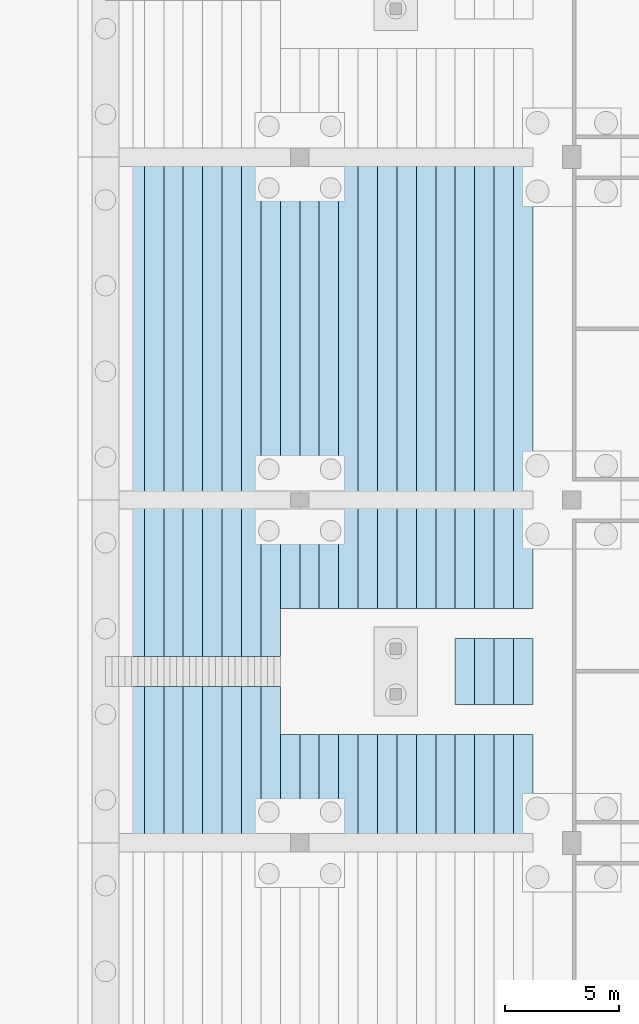
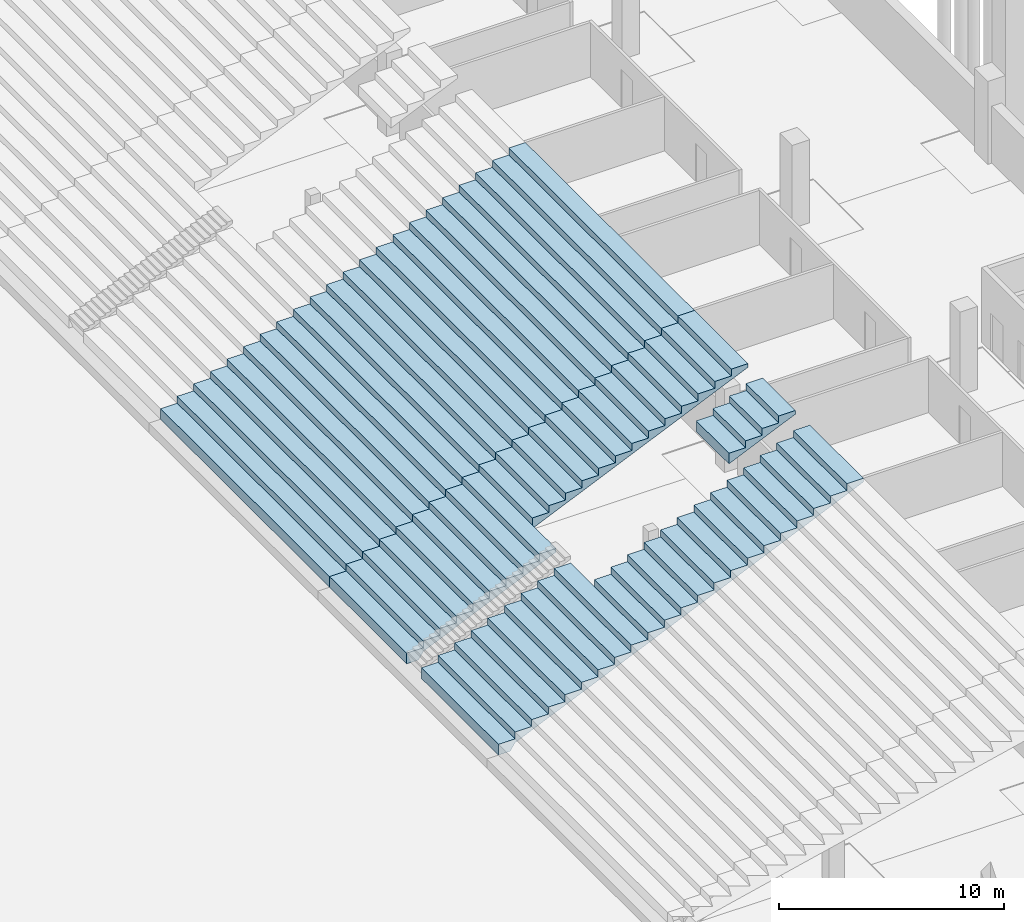
# One storey, part 51 of 115: 2 slabs.
"""IFC4 building model written with IfcOpenShell, lengths in metres."""

from ifc_helpers import new_model, si_unit, direction, frame, origin, place, context, subcontext, project, spatial, faceted_brep, material, layer, layer_set, type_object, element, save


model = new_model("IFC4")

# Units and contexts
model_context = context("Model", 3, precision=1e-05, world=origin(), true_north=direction((0.0, 1.0)))
body_context = subcontext(model_context, "Body", "Model", "MODEL_VIEW")
ifc_project = project(units=[si_unit("LENGTHUNIT", "METRE"), si_unit("AREAUNIT", "SQUARE_METRE"), si_unit("VOLUMEUNIT", "CUBIC_METRE"), si_unit("PLANEANGLEUNIT", "RADIAN"), si_unit("MASSUNIT", "GRAM", prefix="KILO")], contexts=[model_context])

# Site, building, storey
site_placement = place(None, origin())
site = spatial("IfcSite", under=ifc_project, at=site_placement, CompositionType="ELEMENT")
building_placement = place(site_placement, origin())
building = spatial("IfcBuilding", under=site, at=building_placement, Name="Ogive Plaza Stadium", CompositionType="ELEMENT")
storey_placement = place(building_placement, frame((0.0, 0.0, -4.5)))
storey = spatial("IfcBuildingStorey", under=building, at=storey_placement, Name="B1", CompositionType="ELEMENT", Elevation=-4.5)

# Slabs
ifc_material = material(Name="Concrete C45/55 precast", Category="concrete")
ifc_layer = layer(ifc_material, 0.574951171875)
ifc_layer_set = layer_set([ifc_layer], Name="Concrete C45/55 precast")
slab_type = type_object("IfcSlabType", Name="Seating tier LT 575", PredefinedType="USERDEFINED", material=ifc_layer_set)
slab_1_placement = place(storey_placement, origin())
element("IfcSlab", 1, at=slab_1_placement, inside=storey, type_object=slab_type, Name="Stand LT B04", ObjectType="SEATING TIER", PredefinedType="USERDEFINED", context=body_context, shape_type="Brep", body=[
    faceted_brep([(41.5, -7.5, 1.125), (42.10009765625, -7.5, 1.125), (42.10009765625, 7.5, 1.125), (41.5, 7.5, 1.125), (42.35009765625, -7.5, 1.125), (42.35009765625, 7.5, 1.125), (42.10009765625, -7.5, 0.550048828125), (41.5, 7.5, 0.550048828125), (42.10009765625, 7.5, 0.550048828125), (41.5, -7.5, 0.550048828125), (42.35009765625, 7.5, 0.925048828125), (42.35009765625, 7.5, 1.5), (43.199951171875, 7.5, 1.5), (43.199951171875, 7.5, 1.300048828125), (43.199951171875, 7.5, 1.875), (44.050048828125, 7.5, 1.875), (44.050048828125, 7.5, 1.675048828125), (44.050048828125, 7.5, 2.25), (44.89990234375, 7.5, 2.25), (44.89990234375, 7.5, 2.050048828125), (44.89990234375, 7.5, 2.625), (45.75, 7.5, 2.625), (45.75, 7.5, 2.425048828125), (45.75, 7.5, 3.0), (46.60009765625, 7.5, 3.0), (46.60009765625, 7.5, 2.800048828125), (46.60009765625, 7.5, 3.375), (47.449951171875, 7.5, 3.375), (47.449951171875, 7.5, 3.175048828125), (47.449951171875, 7.5, 3.75), (48.300048828125, 7.5, 3.75), (48.300048828125, 7.5, 3.550048828125), (48.300048828125, 7.5, 4.125), (49.14990234375, 7.5, 4.125), (49.14990234375, 7.5, 3.925048828125), (49.14990234375, 7.5, 4.5), (50.0, 7.5, 4.5), (50.0, 7.5, 4.300048828125), (50.0, 7.5, 4.875), (50.85009765625, 7.5, 4.875), (50.85009765625, 7.5, 4.675048828125), (50.85009765625, 7.5, 5.25), (51.699951171875, 7.5, 5.25), (51.699951171875, 7.5, 5.050048828125), (51.699951171875, 7.5, 5.625), (52.550048828125, 7.5, 5.625), (52.550048828125, 7.5, 5.425048828125), (52.550048828125, 7.5, 6.0), (53.39990234375, 7.5, 6.0), (53.39990234375, 7.5, 5.800048828125), (53.39990234375, 7.5, 6.375), (54.25, 7.5, 6.375), (54.25, 7.5, 6.175048828125), (54.25, 7.5, 6.75), (55.10009765625, 7.5, 6.75), (55.10009765625, 7.5, 6.550048828125), (55.10009765625, 7.5, 7.125), (55.949951171875, 7.5, 7.125), (55.949951171875, 7.5, 6.925048828125), (55.949951171875, 7.5, 7.5), (56.800048828125, 7.5, 7.5), (56.800048828125, 7.5, 7.300048828125), (56.800048828125, 7.5, 7.875), (57.64990234375, 7.5, 7.875), (57.64990234375, 7.5, 7.675048828125), (57.64990234375, 7.5, 8.25), (58.5, 7.5, 8.25), (58.5, 7.5, 8.050048828125), (58.5, 7.5, 8.625), (59.35009765625, 7.5, 8.625), (59.35009765625, 7.5, 8.425048828125), (59.35009765625, 7.5, 9.0), (60.199951171875, 7.5, 9.0), (60.199951171875, 7.5, 8.800048828125), (42.35009765625, -7.5, 0.925048828125), (43.199951171875, -7.5, 1.5), (42.35009765625, -7.5, 1.5), (43.199951171875, -7.5, 1.300048828125), (44.050048828125, -7.5, 1.875), (43.199951171875, -7.5, 1.875), (44.050048828125, -7.5, 1.675048828125), (44.89990234375, -7.5, 2.25), (44.050048828125, -7.5, 2.25), (44.89990234375, -7.5, 2.050048828125), (45.75, -7.5, 2.625), (44.89990234375, -7.5, 2.625), (45.75, -7.5, 2.425048828125), (46.60009765625, -7.5, 3.0), (45.75, -7.5, 3.0), (46.60009765625, -7.5, 2.800048828125), (47.449951171875, -7.5, 3.375), (46.60009765625, -7.5, 3.375), (47.449951171875, -7.5, 3.175048828125), (48.300048828125, -7.5, 3.75), (47.449951171875, -7.5, 3.75), (48.300048828125, -7.5, 3.550048828125), (49.14990234375, -7.5, 4.125), (48.300048828125, -7.5, 4.125), (49.14990234375, -7.5, 3.925048828125), (50.0, -7.5, 4.5), (49.14990234375, -7.5, 4.5), (50.0, -7.5, 4.300048828125), (50.85009765625, -7.5, 4.875), (50.0, -7.5, 4.875), (50.85009765625, -7.5, 4.675048828125), (51.699951171875, -7.5, 5.25), (50.85009765625, -7.5, 5.25), (51.699951171875, -7.5, 5.050048828125), (52.550048828125, -7.5, 5.625), (51.699951171875, -7.5, 5.625), (52.550048828125, -7.5, 5.425048828125), (53.39990234375, -7.5, 6.0), (52.550048828125, -7.5, 6.0), (53.39990234375, -7.5, 5.800048828125), (54.25, -7.5, 6.375), (53.39990234375, -7.5, 6.375), (54.25, -7.5, 6.175048828125), (55.10009765625, -7.5, 6.75), (54.25, -7.5, 6.75), (55.10009765625, -7.5, 6.550048828125), (55.949951171875, -7.5, 7.125), (55.10009765625, -7.5, 7.125), (55.949951171875, -7.5, 6.925048828125), (56.800048828125, -7.5, 7.5), (55.949951171875, -7.5, 7.5), (56.800048828125, -7.5, 7.300048828125), (57.64990234375, -7.5, 7.875), (56.800048828125, -7.5, 7.875), (57.64990234375, -7.5, 7.675048828125), (58.5, -7.5, 8.25), (57.64990234375, -7.5, 8.25), (58.5, -7.5, 8.050048828125), (59.35009765625, -7.5, 8.625), (58.5, -7.5, 8.625), (59.35009765625, -7.5, 8.425048828125), (60.199951171875, -7.5, 9.0), (59.35009765625, -7.5, 9.0), (60.199951171875, -7.5, 8.800048828125)], [[[0, 1, 2]], [[2, 3, 0]], [[1, 4, 5]], [[5, 2, 1]], [[6, 7, 8]], [[6, 9, 7]], [[2, 8, 7]], [[7, 3, 2]], [[10, 8, 2]], [[10, 2, 5]], [[5, 11, 12]], [[12, 13, 10]], [[10, 5, 12]], [[12, 14, 15]], [[15, 16, 13]], [[13, 12, 15]], [[15, 17, 18]], [[18, 19, 16]], [[16, 15, 18]], [[18, 20, 21]], [[21, 22, 19]], [[19, 18, 21]], [[21, 23, 24]], [[24, 25, 22]], [[22, 21, 24]], [[24, 26, 27]], [[27, 28, 25]], [[25, 24, 27]], [[27, 29, 30]], [[30, 31, 28]], [[28, 27, 30]], [[30, 32, 33]], [[33, 34, 31]], [[31, 30, 33]], [[33, 35, 36]], [[36, 37, 34]], [[34, 33, 36]], [[36, 38, 39]], [[39, 40, 37]], [[37, 36, 39]], [[39, 41, 42]], [[42, 43, 40]], [[40, 39, 42]], [[42, 44, 45]], [[45, 46, 43]], [[43, 42, 45]], [[45, 47, 48]], [[48, 49, 46]], [[46, 45, 48]], [[48, 50, 51]], [[51, 52, 49]], [[49, 48, 51]], [[51, 53, 54]], [[54, 55, 52]], [[52, 51, 54]], [[54, 56, 57]], [[57, 58, 55]], [[55, 54, 57]], [[57, 59, 60]], [[60, 61, 58]], [[58, 57, 60]], [[60, 62, 63]], [[63, 64, 61]], [[61, 60, 63]], [[63, 65, 66]], [[66, 67, 64]], [[64, 63, 66]], [[66, 68, 69]], [[69, 70, 67]], [[67, 66, 69]], [[69, 71, 72]], [[72, 73, 70]], [[70, 69, 72]], [[3, 7, 9]], [[9, 0, 3]], [[0, 9, 6]], [[6, 1, 0]], [[1, 6, 74]], [[74, 4, 1]], [[75, 76, 4]], [[4, 74, 77]], [[77, 75, 4]], [[78, 79, 75]], [[75, 77, 80]], [[80, 78, 75]], [[81, 82, 78]], [[78, 80, 83]], [[83, 81, 78]], [[84, 85, 81]], [[81, 83, 86]], [[86, 84, 81]], [[87, 88, 84]], [[84, 86, 89]], [[89, 87, 84]], [[90, 91, 87]], [[87, 89, 92]], [[92, 90, 87]], [[93, 94, 90]], [[90, 92, 95]], [[95, 93, 90]], [[96, 97, 93]], [[93, 95, 98]], [[98, 96, 93]], [[99, 100, 96]], [[96, 98, 101]], [[101, 99, 96]], [[102, 103, 99]], [[99, 101, 104]], [[104, 102, 99]], [[105, 106, 102]], [[102, 104, 107]], [[107, 105, 102]], [[108, 109, 105]], [[105, 107, 110]], [[110, 108, 105]], [[111, 112, 108]], [[108, 110, 113]], [[113, 111, 108]], [[114, 115, 111]], [[111, 113, 116]], [[116, 114, 111]], [[117, 118, 114]], [[114, 116, 119]], [[119, 117, 114]], [[120, 121, 117]], [[117, 119, 122]], [[122, 120, 117]], [[123, 124, 120]], [[120, 122, 125]], [[125, 123, 120]], [[126, 127, 123]], [[123, 125, 128]], [[128, 126, 123]], [[129, 130, 126]], [[126, 128, 131]], [[131, 129, 126]], [[132, 133, 129]], [[129, 131, 134]], [[134, 132, 129]], [[135, 136, 132]], [[132, 134, 137]], [[137, 135, 132]], [[74, 8, 10]], [[74, 6, 8]], [[4, 76, 11]], [[11, 5, 4]], [[76, 75, 12]], [[12, 11, 76]], [[77, 10, 13]], [[77, 74, 10]], [[80, 13, 16]], [[80, 77, 13]], [[83, 16, 19]], [[83, 80, 16]], [[86, 19, 22]], [[86, 83, 19]], [[89, 22, 25]], [[89, 86, 22]], [[92, 25, 28]], [[92, 89, 25]], [[95, 28, 31]], [[95, 92, 28]], [[98, 31, 34]], [[98, 95, 31]], [[101, 34, 37]], [[101, 98, 34]], [[104, 37, 40]], [[104, 101, 37]], [[107, 40, 43]], [[107, 104, 40]], [[110, 43, 46]], [[110, 107, 43]], [[113, 46, 49]], [[113, 110, 46]], [[116, 49, 52]], [[116, 113, 49]], [[119, 52, 55]], [[119, 116, 52]], [[122, 55, 58]], [[122, 119, 55]], [[125, 58, 61]], [[125, 122, 58]], [[128, 61, 64]], [[128, 125, 61]], [[75, 79, 14]], [[14, 12, 75]], [[79, 78, 15]], [[15, 14, 79]], [[78, 82, 17]], [[17, 15, 78]], [[82, 81, 18]], [[18, 17, 82]], [[81, 85, 20]], [[20, 18, 81]], [[85, 84, 21]], [[21, 20, 85]], [[84, 88, 23]], [[23, 21, 84]], [[88, 87, 24]], [[24, 23, 88]], [[87, 91, 26]], [[26, 24, 87]], [[91, 90, 27]], [[27, 26, 91]], [[90, 94, 29]], [[29, 27, 90]], [[94, 93, 30]], [[30, 29, 94]], [[93, 97, 32]], [[32, 30, 93]], [[97, 96, 33]], [[33, 32, 97]], [[96, 100, 35]], [[35, 33, 96]], [[100, 99, 36]], [[36, 35, 100]], [[99, 103, 38]], [[38, 36, 99]], [[103, 102, 39]], [[39, 38, 103]], [[102, 106, 41]], [[41, 39, 102]], [[106, 105, 42]], [[42, 41, 106]], [[105, 109, 44]], [[44, 42, 105]], [[109, 108, 45]], [[45, 44, 109]], [[108, 112, 47]], [[47, 45, 108]], [[112, 111, 48]], [[48, 47, 112]], [[111, 115, 50]], [[50, 48, 111]], [[115, 114, 51]], [[51, 50, 115]], [[114, 118, 53]], [[53, 51, 114]], [[118, 117, 54]], [[54, 53, 118]], [[117, 121, 56]], [[56, 54, 117]], [[121, 120, 57]], [[57, 56, 121]], [[120, 124, 59]], [[59, 57, 120]], [[124, 123, 60]], [[60, 59, 124]], [[123, 127, 62]], [[62, 60, 123]], [[127, 126, 63]], [[63, 62, 127]], [[126, 130, 65]], [[65, 63, 126]], [[130, 129, 66]], [[66, 65, 130]], [[131, 64, 67]], [[131, 128, 64]], [[134, 67, 70]], [[134, 131, 67]], [[137, 70, 73]], [[137, 134, 70]], [[129, 133, 68]], [[68, 66, 129]], [[133, 132, 69]], [[69, 68, 133]], [[132, 136, 71]], [[71, 69, 132]], [[136, 135, 72]], [[72, 71, 136]], [[135, 137, 73]], [[73, 72, 135]]]),
])
slab_2_placement = place(storey_placement, origin())
element("IfcSlab", 2, at=slab_2_placement, inside=storey, type_object=slab_type, Name="Stand LT B05", ObjectType="SEATING TIER", PredefinedType="USERDEFINED", context=body_context, shape_type="Brep", body=[
    faceted_brep([(41.5, -14.35009765625, 1.125), (42.10009765625, -14.35009765625, 1.125), (42.10009765625, -7.5, 1.125), (41.5, -7.5, 1.125), (41.5, -22.5, 1.125), (42.10009765625, -22.5, 1.125), (42.10009765625, -15.64990234375, 1.125), (41.5, -15.64990234375, 1.125), (42.35009765625, -14.35009765625, 1.125), (42.35009765625, -7.5, 1.125), (42.35009765625, -22.5, 1.125), (42.35009765625, -15.64990234375, 1.125), (42.10009765625, -14.35009765625, 0.550048828125), (41.5, -7.5, 0.550048828125), (42.10009765625, -7.5, 0.550048828125), (41.5, -14.35009765625, 0.550048828125), (42.10009765625, -22.5, 0.550048828125), (41.5, -15.64990234375, 0.550048828125), (42.10009765625, -15.64990234375, 0.550048828125), (41.5, -22.5, 0.550048828125), (42.35009765625, -7.5, 0.925048828125), (42.35009765625, -7.5, 1.5), (43.199951171875, -7.5, 1.5), (43.199951171875, -7.5, 1.300048828125), (43.199951171875, -7.5, 1.875), (44.050048828125, -7.5, 1.875), (44.050048828125, -7.5, 1.675048828125), (44.050048828125, -7.5, 2.25), (44.89990234375, -7.5, 2.25), (44.89990234375, -7.5, 2.050048828125), (44.89990234375, -7.5, 2.625), (45.75, -7.5, 2.625), (45.75, -7.5, 2.425048828125), (45.75, -7.5, 3.0), (46.60009765625, -7.5, 3.0), (46.60009765625, -7.5, 2.800048828125), (46.60009765625, -7.5, 3.375), (47.449951171875, -7.5, 3.375), (47.449951171875, -7.5, 3.175048828125), (47.449951171875, -7.5, 3.75), (48.300048828125, -7.5, 3.75), (48.300048828125, -7.5, 3.550048828125), (48.300048828125, -7.5, 4.125), (49.14990234375, -7.5, 4.125), (49.14990234375, -7.5, 3.925048828125), (49.14990234375, -7.5, 4.5), (50.0, -7.5, 4.5), (50.0, -7.5, 4.300048828125), (50.0, -7.5, 4.875), (50.85009765625, -7.5, 4.875), (50.85009765625, -7.5, 4.675048828125), (50.85009765625, -7.5, 5.25), (51.699951171875, -7.5, 5.25), (51.699951171875, -7.5, 5.050048828125), (51.699951171875, -7.5, 5.625), (52.550048828125, -7.5, 5.625), (52.550048828125, -7.5, 5.425048828125), (52.550048828125, -7.5, 6.0), (53.39990234375, -7.5, 6.0), (53.39990234375, -7.5, 5.800048828125), (53.39990234375, -7.5, 6.375), (54.25, -7.5, 6.375), (54.25, -7.5, 6.175048828125), (54.25, -7.5, 6.75), (55.10009765625, -7.5, 6.75), (55.10009765625, -7.5, 6.550048828125), (55.10009765625, -7.5, 7.125), (55.949951171875, -7.5, 7.125), (55.949951171875, -7.5, 6.925048828125), (55.949951171875, -7.5, 7.5), (56.800048828125, -7.5, 7.5), (56.800048828125, -7.5, 7.300048828125), (56.800048828125, -7.5, 7.875), (57.64990234375, -7.5, 7.875), (57.64990234375, -7.5, 7.675048828125), (57.64990234375, -7.5, 8.25), (58.5, -7.5, 8.25), (58.5, -7.5, 8.050048828125), (58.5, -7.5, 8.625), (59.35009765625, -7.5, 8.625), (59.35009765625, -7.5, 8.425048828125), (59.35009765625, -7.5, 9.0), (60.199951171875, -7.5, 9.0), (60.199951171875, -7.5, 8.800048828125), (42.35009765625, -14.35009765625, 0.925048828125), (43.199951171875, -14.35009765625, 1.5), (42.35009765625, -14.35009765625, 1.5), (43.199951171875, -14.35009765625, 1.300048828125), (44.050048828125, -14.35009765625, 1.875), (43.199951171875, -14.35009765625, 1.875), (44.050048828125, -14.35009765625, 1.675048828125), (44.89990234375, -14.35009765625, 2.25), (44.050048828125, -14.35009765625, 2.25), (44.89990234375, -14.35009765625, 2.050048828125), (45.75, -14.35009765625, 2.625), (44.89990234375, -14.35009765625, 2.625), (45.75, -14.35009765625, 2.425048828125), (46.60009765625, -14.35009765625, 3.0), (45.75, -14.35009765625, 3.0), (46.60009765625, -14.35009765625, 2.800048828125), (47.449951171875, -14.35009765625, 3.375), (46.60009765625, -14.35009765625, 3.375), (47.449951171875, -14.35009765625, 3.175048828125), (48.300048828125, -14.35009765625, 3.75), (47.449951171875, -14.35009765625, 3.75), (48.300048828125, -14.35009765625, 3.550048828125), (49.14990234375, -14.35009765625, 4.125), (48.300048828125, -14.35009765625, 4.125), (49.14990234375, -14.35009765625, 3.925048828125), (42.35009765625, -15.64990234375, 0.925048828125), (42.35009765625, -15.64990234375, 1.5), (43.199951171875, -15.64990234375, 1.5), (43.199951171875, -15.64990234375, 1.300048828125), (43.199951171875, -15.64990234375, 1.875), (44.050048828125, -15.64990234375, 1.875), (44.050048828125, -15.64990234375, 1.675048828125), (44.050048828125, -15.64990234375, 2.25), (44.89990234375, -15.64990234375, 2.25), (44.89990234375, -15.64990234375, 2.050048828125), (44.89990234375, -15.64990234375, 2.625), (45.75, -15.64990234375, 2.625), (45.75, -15.64990234375, 2.425048828125), (45.75, -15.64990234375, 3.0), (46.60009765625, -15.64990234375, 3.0), (46.60009765625, -15.64990234375, 2.800048828125), (46.60009765625, -15.64990234375, 3.375), (47.449951171875, -15.64990234375, 3.375), (47.449951171875, -15.64990234375, 3.175048828125), (47.449951171875, -15.64990234375, 3.75), (48.300048828125, -15.64990234375, 3.75), (48.300048828125, -15.64990234375, 3.550048828125), (48.300048828125, -15.64990234375, 4.125), (49.14990234375, -15.64990234375, 4.125), (49.14990234375, -15.64990234375, 3.925048828125), (42.35009765625, -22.5, 0.925048828125), (43.199951171875, -22.5, 1.5), (42.35009765625, -22.5, 1.5), (43.199951171875, -22.5, 1.300048828125), (44.050048828125, -22.5, 1.875), (43.199951171875, -22.5, 1.875), (44.050048828125, -22.5, 1.675048828125), (44.89990234375, -22.5, 2.25), (44.050048828125, -22.5, 2.25), (44.89990234375, -22.5, 2.050048828125), (45.75, -22.5, 2.625), (44.89990234375, -22.5, 2.625), (45.75, -22.5, 2.425048828125), (46.60009765625, -22.5, 3.0), (45.75, -22.5, 3.0), (46.60009765625, -22.5, 2.800048828125), (47.449951171875, -22.5, 3.375), (46.60009765625, -22.5, 3.375), (47.449951171875, -22.5, 3.175048828125), (48.300048828125, -22.5, 3.75), (47.449951171875, -22.5, 3.75), (48.300048828125, -22.5, 3.550048828125), (49.14990234375, -22.5, 4.125), (48.300048828125, -22.5, 4.125), (49.14990234375, -22.5, 3.925048828125), (50.0, -22.5, 4.5), (49.14990234375, -22.5, 4.5), (50.0, -22.5, 4.300048828125), (50.85009765625, -22.5, 4.875), (50.0, -22.5, 4.875), (50.85009765625, -22.5, 4.675048828125), (51.699951171875, -22.5, 5.25), (50.85009765625, -22.5, 5.25), (51.699951171875, -22.5, 5.050048828125), (52.550048828125, -22.5, 5.625), (51.699951171875, -22.5, 5.625), (52.550048828125, -22.5, 5.425048828125), (53.39990234375, -22.5, 6.0), (52.550048828125, -22.5, 6.0), (53.39990234375, -22.5, 5.800048828125), (54.25, -22.5, 6.375), (53.39990234375, -22.5, 6.375), (54.25, -22.5, 6.175048828125), (55.10009765625, -22.5, 6.75), (54.25, -22.5, 6.75), (55.10009765625, -22.5, 6.550048828125), (55.949951171875, -22.5, 7.125), (55.10009765625, -22.5, 7.125), (55.949951171875, -22.5, 6.925048828125), (56.800048828125, -22.5, 7.5), (55.949951171875, -22.5, 7.5), (56.800048828125, -22.5, 7.300048828125), (57.64990234375, -22.5, 7.875), (56.800048828125, -22.5, 7.875), (57.64990234375, -22.5, 7.675048828125), (58.5, -22.5, 8.25), (57.64990234375, -22.5, 8.25), (58.5, -22.5, 8.050048828125), (59.35009765625, -22.5, 8.625), (58.5, -22.5, 8.625), (59.35009765625, -22.5, 8.425048828125), (60.199951171875, -22.5, 9.0), (59.35009765625, -22.5, 9.0), (60.199951171875, -22.5, 8.800048828125), (49.14990234375, -12.25, 3.925048828125), (49.14990234375, -17.75, 3.925048828125), (50.0, -12.25, 4.300048828125), (50.0, -17.75, 4.300048828125), (50.85009765625, -12.25, 4.675048828125), (50.85009765625, -17.75, 4.675048828125), (51.699951171875, -12.25, 5.050048828125), (51.699951171875, -17.75, 5.050048828125), (52.550048828125, -12.25, 5.425048828125), (52.550048828125, -17.75, 5.425048828125), (53.39990234375, -12.25, 5.800048828125), (53.39990234375, -17.75, 5.800048828125), (54.25, -12.25, 6.175048828125), (54.25, -17.75, 6.175048828125), (55.10009765625, -12.25, 6.550048828125), (55.10009765625, -17.75, 6.550048828125), (55.949951171875, -12.25, 6.925048828125), (55.949951171875, -17.75, 6.925048828125), (56.800048828125, -12.25, 7.300048828125), (56.800048828125, -17.75, 7.300048828125), (57.64990234375, -12.25, 7.675048828125), (57.64990234375, -16.449951171875, 7.675048828125), (56.800048828125, -13.550048828125, 7.300048828125), (57.64990234375, -13.550048828125, 7.675048828125), (56.800048828125, -16.449951171875, 7.300048828125), (57.64990234375, -17.75, 7.675048828125), (49.14990234375, -12.25, 4.125), (49.14990234375, -17.75, 4.125), (49.14990234375, -12.25, 4.5), (49.14990234375, -17.75, 4.5), (50.0, -12.25, 4.5), (50.0, -17.75, 4.5), (50.0, -12.25, 4.875), (50.0, -17.75, 4.875), (50.85009765625, -12.25, 4.875), (51.699951171875, -12.25, 5.25), (50.85009765625, -12.25, 5.25), (52.550048828125, -12.25, 5.625), (51.699951171875, -12.25, 5.625), (53.39990234375, -12.25, 6.0), (52.550048828125, -12.25, 6.0), (54.25, -12.25, 6.375), (53.39990234375, -12.25, 6.375), (55.10009765625, -12.25, 6.75), (54.25, -12.25, 6.75), (55.949951171875, -12.25, 7.125), (55.10009765625, -12.25, 7.125), (56.800048828125, -12.25, 7.5), (55.949951171875, -12.25, 7.5), (57.64990234375, -12.25, 7.875), (56.800048828125, -12.25, 7.875), (58.5, -12.25, 8.25), (57.64990234375, -12.25, 8.25), (58.5, -12.25, 8.050048828125), (59.35009765625, -12.25, 8.625), (58.5, -12.25, 8.625), (59.35009765625, -12.25, 8.425048828125), (60.199951171875, -12.25, 9.0), (59.35009765625, -12.25, 9.0), (60.199951171875, -12.25, 8.800048828125), (50.85009765625, -17.75, 4.875), (50.85009765625, -17.75, 5.25), (51.699951171875, -17.75, 5.25), (51.699951171875, -17.75, 5.625), (52.550048828125, -17.75, 5.625), (52.550048828125, -17.75, 6.0), (53.39990234375, -17.75, 6.0), (53.39990234375, -17.75, 6.375), (54.25, -17.75, 6.375), (54.25, -17.75, 6.75), (55.10009765625, -17.75, 6.75), (55.10009765625, -17.75, 7.125), (55.949951171875, -17.75, 7.125), (55.949951171875, -17.75, 7.5), (56.800048828125, -17.75, 7.5), (56.800048828125, -17.75, 7.875), (57.64990234375, -17.75, 7.875), (57.64990234375, -17.75, 8.25), (58.5, -17.75, 8.25), (58.5, -17.75, 8.050048828125), (58.5, -17.75, 8.625), (59.35009765625, -17.75, 8.625), (59.35009765625, -17.75, 8.425048828125), (59.35009765625, -17.75, 9.0), (60.199951171875, -17.75, 9.0), (60.199951171875, -17.75, 8.800048828125), (56.800048828125, -13.550048828125, 7.875), (56.800048828125, -16.449951171875, 7.875), (57.64990234375, -16.449951171875, 7.875), (57.64990234375, -13.550048828125, 7.875), (57.64990234375, -16.449951171875, 8.25), (57.64990234375, -13.550048828125, 8.25), (58.5, -13.550048828125, 8.25), (58.5, -13.550048828125, 8.050048828125), (58.5, -13.550048828125, 8.625), (59.35009765625, -13.550048828125, 8.625), (59.35009765625, -13.550048828125, 8.425048828125), (59.35009765625, -13.550048828125, 9.0), (60.199951171875, -13.550048828125, 9.0), (60.199951171875, -13.550048828125, 8.800048828125), (58.5, -16.449951171875, 8.25), (58.5, -16.449951171875, 8.050048828125), (59.35009765625, -16.449951171875, 8.625), (58.5, -16.449951171875, 8.625), (59.35009765625, -16.449951171875, 8.425048828125), (60.199951171875, -16.449951171875, 9.0), (59.35009765625, -16.449951171875, 9.0), (60.199951171875, -16.449951171875, 8.800048828125)], [[[0, 1, 2]], [[2, 3, 0]], [[4, 5, 6]], [[6, 7, 4]], [[1, 8, 9]], [[9, 2, 1]], [[5, 10, 11]], [[11, 6, 5]], [[12, 13, 14]], [[12, 15, 13]], [[16, 17, 18]], [[16, 19, 17]], [[2, 14, 13]], [[13, 3, 2]], [[20, 14, 2]], [[20, 2, 9]], [[9, 21, 22]], [[22, 23, 20]], [[20, 9, 22]], [[22, 24, 25]], [[25, 26, 23]], [[23, 22, 25]], [[25, 27, 28]], [[28, 29, 26]], [[26, 25, 28]], [[28, 30, 31]], [[31, 32, 29]], [[29, 28, 31]], [[31, 33, 34]], [[34, 35, 32]], [[32, 31, 34]], [[34, 36, 37]], [[37, 38, 35]], [[35, 34, 37]], [[37, 39, 40]], [[40, 41, 38]], [[38, 37, 40]], [[40, 42, 43]], [[43, 44, 41]], [[41, 40, 43]], [[43, 45, 46]], [[46, 47, 44]], [[44, 43, 46]], [[46, 48, 49]], [[49, 50, 47]], [[47, 46, 49]], [[49, 51, 52]], [[52, 53, 50]], [[50, 49, 52]], [[52, 54, 55]], [[55, 56, 53]], [[53, 52, 55]], [[55, 57, 58]], [[58, 59, 56]], [[56, 55, 58]], [[58, 60, 61]], [[61, 62, 59]], [[59, 58, 61]], [[61, 63, 64]], [[64, 65, 62]], [[62, 61, 64]], [[64, 66, 67]], [[67, 68, 65]], [[65, 64, 67]], [[67, 69, 70]], [[70, 71, 68]], [[68, 67, 70]], [[70, 72, 73]], [[73, 74, 71]], [[71, 70, 73]], [[73, 75, 76]], [[76, 77, 74]], [[74, 73, 76]], [[76, 78, 79]], [[79, 80, 77]], [[77, 76, 79]], [[79, 81, 82]], [[82, 83, 80]], [[80, 79, 82]], [[3, 13, 15]], [[15, 0, 3]], [[7, 17, 19]], [[19, 4, 7]], [[0, 15, 12]], [[12, 1, 0]], [[1, 12, 84]], [[84, 8, 1]], [[85, 86, 8]], [[8, 84, 87]], [[87, 85, 8]], [[88, 89, 85]], [[85, 87, 90]], [[90, 88, 85]], [[91, 92, 88]], [[88, 90, 93]], [[93, 91, 88]], [[94, 95, 91]], [[91, 93, 96]], [[96, 94, 91]], [[97, 98, 94]], [[94, 96, 99]], [[99, 97, 94]], [[100, 101, 97]], [[97, 99, 102]], [[102, 100, 97]], [[103, 104, 100]], [[100, 102, 105]], [[105, 103, 100]], [[106, 107, 103]], [[103, 105, 108]], [[108, 106, 103]], [[6, 18, 17]], [[17, 7, 6]], [[109, 18, 6]], [[109, 6, 11]], [[11, 110, 111]], [[111, 112, 109]], [[109, 11, 111]], [[111, 113, 114]], [[114, 115, 112]], [[112, 111, 114]], [[114, 116, 117]], [[117, 118, 115]], [[115, 114, 117]], [[117, 119, 120]], [[120, 121, 118]], [[118, 117, 120]], [[120, 122, 123]], [[123, 124, 121]], [[121, 120, 123]], [[123, 125, 126]], [[126, 127, 124]], [[124, 123, 126]], [[126, 128, 129]], [[129, 130, 127]], [[127, 126, 129]], [[129, 131, 132]], [[132, 133, 130]], [[130, 129, 132]], [[4, 19, 16]], [[16, 5, 4]], [[5, 16, 134]], [[134, 10, 5]], [[135, 136, 10]], [[10, 134, 137]], [[137, 135, 10]], [[138, 139, 135]], [[135, 137, 140]], [[140, 138, 135]], [[141, 142, 138]], [[138, 140, 143]], [[143, 141, 138]], [[144, 145, 141]], [[141, 143, 146]], [[146, 144, 141]], [[147, 148, 144]], [[144, 146, 149]], [[149, 147, 144]], [[150, 151, 147]], [[147, 149, 152]], [[152, 150, 147]], [[153, 154, 150]], [[150, 152, 155]], [[155, 153, 150]], [[156, 157, 153]], [[153, 155, 158]], [[158, 156, 153]], [[159, 160, 156]], [[156, 158, 161]], [[161, 159, 156]], [[162, 163, 159]], [[159, 161, 164]], [[164, 162, 159]], [[165, 166, 162]], [[162, 164, 167]], [[167, 165, 162]], [[168, 169, 165]], [[165, 167, 170]], [[170, 168, 165]], [[171, 172, 168]], [[168, 170, 173]], [[173, 171, 168]], [[174, 175, 171]], [[171, 173, 176]], [[176, 174, 171]], [[177, 178, 174]], [[174, 176, 179]], [[179, 177, 174]], [[180, 181, 177]], [[177, 179, 182]], [[182, 180, 177]], [[183, 184, 180]], [[180, 182, 185]], [[185, 183, 180]], [[186, 187, 183]], [[183, 185, 188]], [[188, 186, 183]], [[189, 190, 186]], [[186, 188, 191]], [[191, 189, 186]], [[192, 193, 189]], [[189, 191, 194]], [[194, 192, 189]], [[195, 196, 192]], [[192, 194, 197]], [[197, 195, 192]], [[84, 14, 20]], [[84, 12, 14]], [[134, 18, 109]], [[134, 16, 18]], [[8, 86, 21]], [[21, 9, 8]], [[10, 136, 110]], [[110, 11, 10]], [[86, 85, 22]], [[22, 21, 86]], [[136, 135, 111]], [[111, 110, 136]], [[87, 20, 23]], [[87, 84, 20]], [[137, 109, 112]], [[137, 134, 109]], [[90, 23, 26]], [[90, 87, 23]], [[140, 112, 115]], [[140, 137, 112]], [[93, 26, 29]], [[93, 90, 26]], [[143, 115, 118]], [[143, 140, 115]], [[96, 29, 32]], [[96, 93, 29]], [[146, 118, 121]], [[146, 143, 118]], [[99, 32, 35]], [[99, 96, 32]], [[149, 121, 124]], [[149, 146, 121]], [[102, 35, 38]], [[102, 99, 35]], [[152, 124, 127]], [[152, 149, 124]], [[105, 38, 41]], [[105, 102, 38]], [[155, 127, 130]], [[155, 152, 127]], [[41, 44, 198]], [[108, 41, 198]], [[108, 105, 41]], [[199, 158, 130]], [[130, 133, 199]], [[158, 155, 130]], [[200, 44, 47]], [[200, 198, 44]], [[161, 199, 201]], [[161, 158, 199]], [[202, 47, 50]], [[202, 200, 47]], [[164, 201, 203]], [[164, 161, 201]], [[204, 50, 53]], [[204, 202, 50]], [[167, 203, 205]], [[167, 164, 203]], [[206, 53, 56]], [[206, 204, 53]], [[170, 205, 207]], [[170, 167, 205]], [[208, 56, 59]], [[208, 206, 56]], [[173, 207, 209]], [[173, 170, 207]], [[210, 59, 62]], [[210, 208, 59]], [[176, 209, 211]], [[176, 173, 209]], [[212, 62, 65]], [[212, 210, 62]], [[179, 211, 213]], [[179, 176, 211]], [[214, 65, 68]], [[214, 212, 65]], [[182, 213, 215]], [[182, 179, 213]], [[216, 68, 71]], [[216, 214, 68]], [[185, 215, 217]], [[185, 182, 215]], [[218, 71, 74]], [[218, 216, 71]], [[219, 220, 221]], [[219, 222, 220]], [[188, 217, 223]], [[188, 185, 217]], [[85, 89, 24]], [[24, 22, 85]], [[135, 139, 113]], [[113, 111, 135]], [[89, 88, 25]], [[25, 24, 89]], [[139, 138, 114]], [[114, 113, 139]], [[88, 92, 27]], [[27, 25, 88]], [[138, 142, 116]], [[116, 114, 138]], [[92, 91, 28]], [[28, 27, 92]], [[142, 141, 117]], [[117, 116, 142]], [[91, 95, 30]], [[30, 28, 91]], [[141, 145, 119]], [[119, 117, 141]], [[95, 94, 31]], [[31, 30, 95]], [[145, 144, 120]], [[120, 119, 145]], [[94, 98, 33]], [[33, 31, 94]], [[144, 148, 122]], [[122, 120, 144]], [[98, 97, 34]], [[34, 33, 98]], [[148, 147, 123]], [[123, 122, 148]], [[97, 101, 36]], [[36, 34, 97]], [[147, 151, 125]], [[125, 123, 147]], [[101, 100, 37]], [[37, 36, 101]], [[151, 150, 126]], [[126, 125, 151]], [[100, 104, 39]], [[39, 37, 100]], [[150, 154, 128]], [[128, 126, 150]], [[104, 103, 40]], [[40, 39, 104]], [[154, 153, 129]], [[129, 128, 154]], [[103, 107, 42]], [[42, 40, 103]], [[153, 157, 131]], [[131, 129, 153]], [[43, 42, 107]], [[224, 43, 107]], [[106, 224, 107]], [[132, 131, 157]], [[157, 156, 225]], [[225, 132, 157]], [[106, 108, 198]], [[198, 224, 106]], [[225, 199, 133]], [[225, 133, 132]], [[45, 43, 224]], [[226, 45, 224]], [[227, 225, 156]], [[160, 227, 156]], [[226, 228, 46]], [[46, 45, 226]], [[160, 159, 229]], [[229, 227, 160]], [[228, 230, 48]], [[48, 46, 228]], [[159, 163, 231]], [[231, 229, 159]], [[228, 226, 224]], [[224, 198, 200]], [[200, 228, 224]], [[232, 230, 228]], [[228, 200, 202]], [[202, 232, 228]], [[233, 234, 232]], [[232, 202, 204]], [[204, 233, 232]], [[235, 236, 233]], [[233, 204, 206]], [[206, 235, 233]], [[237, 238, 235]], [[235, 206, 208]], [[208, 237, 235]], [[239, 240, 237]], [[237, 208, 210]], [[210, 239, 237]], [[241, 242, 239]], [[239, 210, 212]], [[212, 241, 239]], [[243, 244, 241]], [[241, 212, 214]], [[214, 243, 241]], [[245, 246, 243]], [[243, 214, 216]], [[216, 245, 243]], [[247, 248, 245]], [[245, 216, 218]], [[218, 247, 245]], [[249, 250, 247]], [[247, 218, 251]], [[251, 249, 247]], [[252, 253, 249]], [[249, 251, 254]], [[254, 252, 249]], [[255, 256, 252]], [[252, 254, 257]], [[257, 255, 252]], [[225, 227, 229]], [[229, 201, 199]], [[199, 225, 229]], [[229, 231, 258]], [[258, 203, 201]], [[201, 229, 258]], [[258, 259, 260]], [[260, 205, 203]], [[203, 258, 260]], [[260, 261, 262]], [[262, 207, 205]], [[205, 260, 262]], [[262, 263, 264]], [[264, 209, 207]], [[207, 262, 264]], [[264, 265, 266]], [[266, 211, 209]], [[209, 264, 266]], [[266, 267, 268]], [[268, 213, 211]], [[211, 266, 268]], [[268, 269, 270]], [[270, 215, 213]], [[213, 268, 270]], [[270, 271, 272]], [[272, 217, 215]], [[215, 270, 272]], [[272, 273, 274]], [[274, 223, 217]], [[217, 272, 274]], [[274, 275, 276]], [[276, 277, 223]], [[223, 274, 276]], [[276, 278, 279]], [[279, 280, 277]], [[277, 276, 279]], [[279, 281, 282]], [[282, 283, 280]], [[280, 279, 282]], [[230, 232, 49]], [[49, 48, 230]], [[163, 162, 258]], [[258, 231, 163]], [[232, 234, 51]], [[51, 49, 232]], [[162, 166, 259]], [[259, 258, 162]], [[234, 233, 52]], [[52, 51, 234]], [[166, 165, 260]], [[260, 259, 166]], [[233, 236, 54]], [[54, 52, 233]], [[165, 169, 261]], [[261, 260, 165]], [[236, 235, 55]], [[55, 54, 236]], [[169, 168, 262]], [[262, 261, 169]], [[235, 238, 57]], [[57, 55, 235]], [[168, 172, 263]], [[263, 262, 168]], [[238, 237, 58]], [[58, 57, 238]], [[172, 171, 264]], [[264, 263, 172]], [[237, 240, 60]], [[60, 58, 237]], [[171, 175, 265]], [[265, 264, 171]], [[240, 239, 61]], [[61, 60, 240]], [[175, 174, 266]], [[266, 265, 175]], [[239, 242, 63]], [[63, 61, 239]], [[174, 178, 267]], [[267, 266, 174]], [[242, 241, 64]], [[64, 63, 242]], [[178, 177, 268]], [[268, 267, 178]], [[241, 244, 66]], [[66, 64, 241]], [[177, 181, 269]], [[269, 268, 177]], [[244, 243, 67]], [[67, 66, 244]], [[181, 180, 270]], [[270, 269, 181]], [[243, 246, 69]], [[69, 67, 243]], [[180, 184, 271]], [[271, 270, 180]], [[246, 245, 70]], [[70, 69, 246]], [[184, 183, 272]], [[272, 271, 184]], [[245, 248, 72]], [[72, 70, 245]], [[284, 220, 222]], [[222, 285, 284]], [[183, 187, 273]], [[273, 272, 183]], [[248, 247, 73]], [[73, 72, 248]], [[285, 286, 287]], [[287, 284, 285]], [[187, 186, 274]], [[274, 273, 187]], [[247, 250, 75]], [[75, 73, 247]], [[286, 288, 289]], [[289, 287, 286]], [[186, 190, 275]], [[275, 274, 186]], [[221, 220, 284]], [[221, 284, 287]], [[287, 289, 290]], [[290, 291, 221]], [[221, 287, 290]], [[290, 292, 293]], [[293, 294, 291]], [[291, 290, 293]], [[293, 295, 296]], [[296, 297, 294]], [[294, 293, 296]], [[285, 222, 219]], [[219, 286, 285]], [[298, 288, 286]], [[286, 219, 299]], [[299, 298, 286]], [[300, 301, 298]], [[298, 299, 302]], [[302, 300, 298]], [[303, 304, 300]], [[300, 302, 305]], [[305, 303, 300]], [[250, 249, 76]], [[76, 75, 250]], [[288, 298, 290]], [[290, 289, 288]], [[190, 189, 276]], [[276, 275, 190]], [[251, 74, 77]], [[251, 218, 74]], [[299, 221, 291]], [[299, 219, 221]], [[191, 223, 277]], [[191, 188, 223]], [[254, 77, 80]], [[254, 251, 77]], [[302, 291, 294]], [[302, 299, 291]], [[194, 277, 280]], [[194, 191, 277]], [[257, 80, 83]], [[257, 254, 80]], [[305, 294, 297]], [[305, 302, 294]], [[197, 280, 283]], [[197, 194, 280]], [[249, 253, 78]], [[78, 76, 249]], [[298, 301, 292]], [[292, 290, 298]], [[189, 193, 278]], [[278, 276, 189]], [[253, 252, 79]], [[79, 78, 253]], [[301, 300, 293]], [[293, 292, 301]], [[193, 192, 279]], [[279, 278, 193]], [[252, 256, 81]], [[81, 79, 252]], [[300, 304, 295]], [[295, 293, 300]], [[192, 196, 281]], [[281, 279, 192]], [[256, 255, 82]], [[82, 81, 256]], [[304, 303, 296]], [[296, 295, 304]], [[196, 195, 282]], [[282, 281, 196]], [[255, 257, 83]], [[83, 82, 255]], [[303, 305, 297]], [[297, 296, 303]], [[195, 197, 283]], [[283, 282, 195]]]),
])

save(model, "model.ifc")
